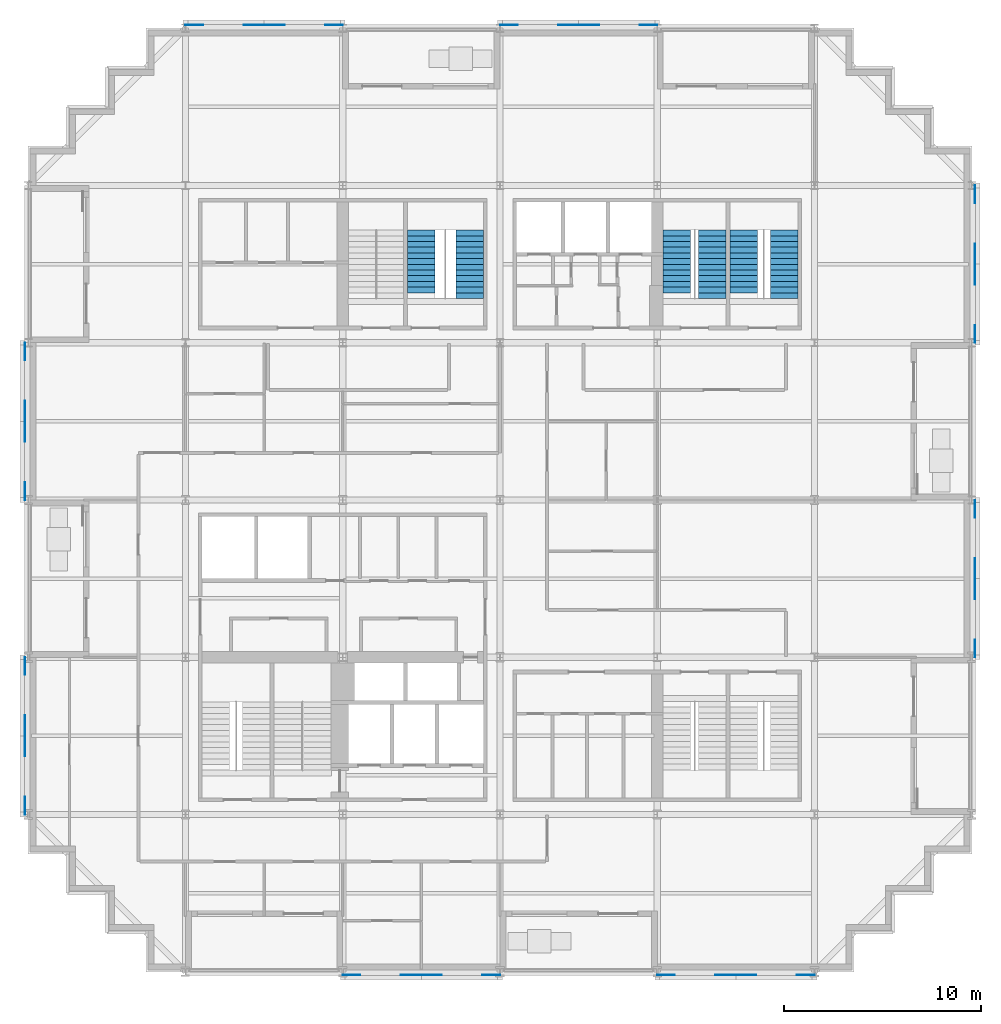
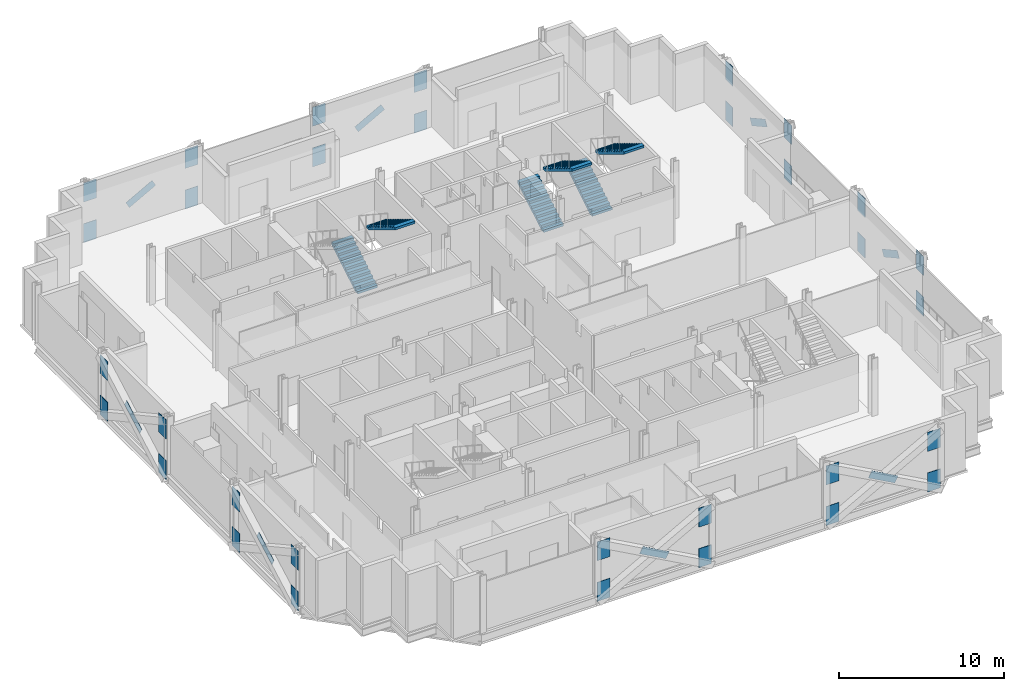
# One storey, part 11 of 14: 40 discrete accessories, 6 stair flights, 3 elements without a shape of their own.
"""IFC4 building model written with IfcOpenShell, lengths in metres."""

from ifc_helpers import new_model, si_unit, direction, frame, origin, origin_2d, place, context, subcontext, project, spatial, polyline, rectangle, outline, extrude, material, material_profile, profile_set, type_object, element, aggregate, save


model = new_model("IFC4")

# Units and contexts
model_context = context("Model", 3, precision=1e-05, world=origin(), true_north=direction((0.0, 1.0)))
body_context = subcontext(model_context, "Body", "Model", "MODEL_VIEW")
ifc_project = project(units=[si_unit("LENGTHUNIT", "METRE"), si_unit("AREAUNIT", "SQUARE_METRE"), si_unit("VOLUMEUNIT", "CUBIC_METRE"), si_unit("PLANEANGLEUNIT", "RADIAN"), si_unit("MASSUNIT", "GRAM", prefix="KILO")], contexts=[model_context])

# Site, building, storey
site_placement = place(None, origin())
site = spatial("IfcSite", under=ifc_project, at=site_placement, CompositionType="ELEMENT")
building_placement = place(site_placement, origin())
building = spatial("IfcBuilding", under=site, at=building_placement, Name="Immortelle Media Tower", CompositionType="ELEMENT")
storey_placement = place(building_placement, frame((0.0, 0.0, 39.199951171875)))
storey = spatial("IfcBuildingStorey", under=building, at=storey_placement, Name="L05", CompositionType="ELEMENT", Elevation=39.199951171875)

# Stair, stair flights
ifc_material_1 = material(Name="Steel ASTM A992 Gr 50", Category="steel")
stair_type = type_object("IfcStairType", Name="Stair with flights", PredefinedType="DOUBLE_RETURN_STAIR", material=ifc_material_1)
stair_1_placement = place(storey_placement, origin())
stair_1 = element("IfcStair", 1, at=stair_1_placement, inside=storey, type_object=stair_type, Name="Exit stair NW2", PredefinedType="DOUBLE_RETURN_STAIR")
stair_flight_type = type_object("IfcStairFlightType", Name="Stair flight 1400", PredefinedType="STRAIGHT", material=ifc_material_1)
stair_flight_1_placement = place(storey_placement, frame((20.0, 34.5400390625, 0.0), z_axis=(0.0, 0.0, 1.0), x_axis=(0.0, 1.0, 0.0)))
stair_flight_1 = element("IfcStairFlight", 2, at=stair_flight_1_placement, type_object=stair_flight_type, Name="ST NW2 flight 1", NumberOfRisers=12, NumberOfTreads=11, PredefinedType="STRAIGHT", RiserHeight=0.176, TreadLength=0.29, context=body_context, shape_type="SweptSolid", body=[
    extrude(outline(polyline([(0.0, 0.0), (0.0, 0.176025390625), (0.2900390625, 0.176025390625), (0.2900390625, 0.35205078125), (0.580078125, 0.35205078125), (0.580078125, 0.528076171875), (0.8701171875, 0.528076171875), (0.8701171875, 0.7041015625), (1.159912109375, 0.7041015625), (1.159912109375, 0.8798828125), (1.449951171875, 0.8798828125), (1.449951171875, 1.055908203125), (1.739990234375, 1.055908203125), (1.739990234375, 1.23193359375), (2.030029296875, 1.23193359375), (2.030029296875, 1.407958984375), (2.320068359375, 1.407958984375), (2.320068359375, 1.583984375), (2.610107421875, 1.583984375), (2.610107421875, 1.760009765625), (2.89990234375, 1.760009765625), (2.89990234375, 1.93603515625), (3.18994140625, 1.93603515625), (3.18994140625, 2.112060546875), (3.18994140625, 1.7607421875), (0.288818359375, 0.0), (0.0, 0.0)])), frame((0.0, 0.699951171875, 0.0), z_axis=(0.0, -1.0, 0.0), x_axis=(1.0, 0.0, 0.0)), (0.0, 0.0, 1.0), 1.39990234375),
])
stair_flight_2_placement = place(storey_placement, frame((22.449951171875, 37.72998046875, 2.112060546875), z_axis=(0.0, 0.0, 1.0), x_axis=(0.0, -1.0, 0.0)))
stair_flight_2 = element("IfcStairFlight", 3, at=stair_flight_2_placement, type_object=stair_flight_type, Name="ST NW2 flight 2", NumberOfRisers=13, NumberOfTreads=12, PredefinedType="STRAIGHT", RiserHeight=0.176, TreadLength=0.29, context=body_context, shape_type="SweptSolid", body=[
    extrude(outline(polyline([(0.0, 0.0), (0.0, 0.176025390625), (0.2900390625, 0.176025390625), (0.2900390625, 0.35205078125), (0.580078125, 0.35205078125), (0.580078125, 0.528076171875), (0.8701171875, 0.528076171875), (0.8701171875, 0.7041015625), (1.159912109375, 0.7041015625), (1.159912109375, 0.8798828125), (1.449951171875, 0.8798828125), (1.449951171875, 1.055908203125), (1.739990234375, 1.055908203125), (1.739990234375, 1.23193359375), (2.030029296875, 1.23193359375), (2.030029296875, 1.407958984375), (2.320068359375, 1.407958984375), (2.320068359375, 1.583984375), (2.610107421875, 1.583984375), (2.610107421875, 1.760009765625), (2.89990234375, 1.760009765625), (2.89990234375, 1.93603515625), (3.18994140625, 1.93603515625), (3.18994140625, 2.112060546875), (3.47998046875, 2.112060546875), (3.47998046875, 2.2880859375), (3.47998046875, 1.936767578125), (0.288818359375, 0.0), (0.0, 0.0)])), frame((0.0, 0.699951171875, 0.0), z_axis=(0.0, -1.0, 0.0), x_axis=(1.0, 0.0, 0.0)), (0.0, 0.0, 1.0), 1.39990234375),
])
aggregate(stair_1, [stair_flight_1, stair_flight_2])

stair_2_placement = place(storey_placement, origin())
stair_2 = element("IfcStair", 4, at=stair_2_placement, inside=storey, type_object=stair_type, Name="Exit stair NE1", PredefinedType="DOUBLE_RETURN_STAIR")
stair_flight_3_placement = place(storey_placement, frame((33.0, 34.5400390625, 0.0), z_axis=(0.0, 0.0, 1.0), x_axis=(0.0, 1.0, 0.0)))
stair_flight_3 = element("IfcStairFlight", 5, at=stair_flight_3_placement, type_object=stair_flight_type, Name="ST NE1 flight 1", NumberOfRisers=12, NumberOfTreads=11, PredefinedType="STRAIGHT", RiserHeight=0.176, TreadLength=0.29, context=body_context, shape_type="SweptSolid", body=[
    extrude(outline(polyline([(0.0, 0.0), (0.0, 0.176025390625), (0.2900390625, 0.176025390625), (0.2900390625, 0.35205078125), (0.580078125, 0.35205078125), (0.580078125, 0.528076171875), (0.8701171875, 0.528076171875), (0.8701171875, 0.7041015625), (1.159912109375, 0.7041015625), (1.159912109375, 0.8798828125), (1.449951171875, 0.8798828125), (1.449951171875, 1.055908203125), (1.739990234375, 1.055908203125), (1.739990234375, 1.23193359375), (2.030029296875, 1.23193359375), (2.030029296875, 1.407958984375), (2.320068359375, 1.407958984375), (2.320068359375, 1.583984375), (2.610107421875, 1.583984375), (2.610107421875, 1.760009765625), (2.89990234375, 1.760009765625), (2.89990234375, 1.93603515625), (3.18994140625, 1.93603515625), (3.18994140625, 2.112060546875), (3.18994140625, 1.7607421875), (0.288818359375, 0.0), (0.0, 0.0)])), frame((0.0, 0.699951171875, 0.0), z_axis=(0.0, -1.0, 0.0), x_axis=(1.0, 0.0, 0.0)), (0.0, 0.0, 1.0), 1.39990234375),
])
stair_flight_4_placement = place(storey_placement, frame((34.800048828125, 37.72998046875, 2.112060546875), z_axis=(0.0, 0.0, 1.0), x_axis=(0.0, -1.0, 0.0)))
stair_flight_4 = element("IfcStairFlight", 6, at=stair_flight_4_placement, type_object=stair_flight_type, Name="ST NE1 flight 2", NumberOfRisers=13, NumberOfTreads=12, PredefinedType="STRAIGHT", RiserHeight=0.176, TreadLength=0.29, context=body_context, shape_type="SweptSolid", body=[
    extrude(outline(polyline([(0.0, 0.0), (0.0, 0.176025390625), (0.2900390625, 0.176025390625), (0.2900390625, 0.35205078125), (0.580078125, 0.35205078125), (0.580078125, 0.528076171875), (0.8701171875, 0.528076171875), (0.8701171875, 0.7041015625), (1.159912109375, 0.7041015625), (1.159912109375, 0.8798828125), (1.449951171875, 0.8798828125), (1.449951171875, 1.055908203125), (1.739990234375, 1.055908203125), (1.739990234375, 1.23193359375), (2.030029296875, 1.23193359375), (2.030029296875, 1.407958984375), (2.320068359375, 1.407958984375), (2.320068359375, 1.583984375), (2.610107421875, 1.583984375), (2.610107421875, 1.760009765625), (2.89990234375, 1.760009765625), (2.89990234375, 1.93603515625), (3.18994140625, 1.93603515625), (3.18994140625, 2.112060546875), (3.47998046875, 2.112060546875), (3.47998046875, 2.2880859375), (3.47998046875, 1.936767578125), (0.288818359375, 0.0), (0.0, 0.0)])), frame((0.0, 0.699951171875, 0.0), z_axis=(0.0, -1.0, 0.0), x_axis=(1.0, 0.0, 0.0)), (0.0, 0.0, 1.0), 1.39990234375),
])
aggregate(stair_2, [stair_flight_3, stair_flight_4])

stair_3_placement = place(storey_placement, origin())
stair_3 = element("IfcStair", 7, at=stair_3_placement, inside=storey, type_object=stair_type, Name="Exit stair NE2", PredefinedType="DOUBLE_RETURN_STAIR")
stair_flight_5_placement = place(storey_placement, frame((36.39990234375, 34.5400390625, 0.0), z_axis=(0.0, 0.0, 1.0), x_axis=(0.0, 1.0, 0.0)))
stair_flight_5 = element("IfcStairFlight", 8, at=stair_flight_5_placement, type_object=stair_flight_type, Name="ST NE2 flight 1", NumberOfRisers=12, NumberOfTreads=11, PredefinedType="STRAIGHT", RiserHeight=0.176, TreadLength=0.29, context=body_context, shape_type="SweptSolid", body=[
    extrude(outline(polyline([(0.0, 0.0), (0.0, 0.176025390625), (0.2900390625, 0.176025390625), (0.2900390625, 0.35205078125), (0.580078125, 0.35205078125), (0.580078125, 0.528076171875), (0.8701171875, 0.528076171875), (0.8701171875, 0.7041015625), (1.159912109375, 0.7041015625), (1.159912109375, 0.8798828125), (1.449951171875, 0.8798828125), (1.449951171875, 1.055908203125), (1.739990234375, 1.055908203125), (1.739990234375, 1.23193359375), (2.030029296875, 1.23193359375), (2.030029296875, 1.407958984375), (2.320068359375, 1.407958984375), (2.320068359375, 1.583984375), (2.610107421875, 1.583984375), (2.610107421875, 1.760009765625), (2.89990234375, 1.760009765625), (2.89990234375, 1.93603515625), (3.18994140625, 1.93603515625), (3.18994140625, 2.112060546875), (3.18994140625, 1.7607421875), (0.288818359375, 0.0), (0.0, 0.0)])), frame((0.0, 0.699951171875, 0.0), z_axis=(0.0, -1.0, 0.0), x_axis=(1.0, 0.0, 0.0)), (0.0, 0.0, 1.0), 1.39990234375),
])
stair_flight_6_placement = place(storey_placement, frame((38.449951171875, 37.72998046875, 2.112060546875), z_axis=(0.0, 0.0, 1.0), x_axis=(0.0, -1.0, 0.0)))
stair_flight_6 = element("IfcStairFlight", 9, at=stair_flight_6_placement, type_object=stair_flight_type, Name="ST NE2 flight 2", NumberOfRisers=13, NumberOfTreads=12, PredefinedType="STRAIGHT", RiserHeight=0.176, TreadLength=0.29, context=body_context, shape_type="SweptSolid", body=[
    extrude(outline(polyline([(0.0, 0.0), (0.0, 0.176025390625), (0.2900390625, 0.176025390625), (0.2900390625, 0.35205078125), (0.580078125, 0.35205078125), (0.580078125, 0.528076171875), (0.8701171875, 0.528076171875), (0.8701171875, 0.7041015625), (1.159912109375, 0.7041015625), (1.159912109375, 0.8798828125), (1.449951171875, 0.8798828125), (1.449951171875, 1.055908203125), (1.739990234375, 1.055908203125), (1.739990234375, 1.23193359375), (2.030029296875, 1.23193359375), (2.030029296875, 1.407958984375), (2.320068359375, 1.407958984375), (2.320068359375, 1.583984375), (2.610107421875, 1.583984375), (2.610107421875, 1.760009765625), (2.89990234375, 1.760009765625), (2.89990234375, 1.93603515625), (3.18994140625, 1.93603515625), (3.18994140625, 2.112060546875), (3.47998046875, 2.112060546875), (3.47998046875, 2.2880859375), (3.47998046875, 1.936767578125), (0.288818359375, 0.0), (0.0, 0.0)])), frame((0.0, 0.699951171875, 0.0), z_axis=(0.0, -1.0, 0.0), x_axis=(1.0, 0.0, 0.0)), (0.0, 0.0, 1.0), 1.39990234375),
])
aggregate(stair_3, [stair_flight_5, stair_flight_6])

# Discrete accessories
ifc_material_2 = material(Name="Steel ASTM A572 Gr 50", Category="steel")
ifc_material_profile_1 = material_profile(ifc_material_2, rectangle(XDim=0.02392578125, YDim=0.508056640625, at=origin_2d()), Name="PL 24 x 508")
ifc_profile_set_1 = profile_set([ifc_material_profile_1], Name="Steel ASTM A572 Gr 50")
discrete_accessory_type_1 = type_object("IfcDiscreteAccessoryType", Name="Crossing plate XP-BR2 2100 x 508 x 24", PredefinedType="USERDEFINED", material=ifc_profile_set_1)
for number, where, z_axis, x_axis, name in (
    (10, (-0.1640625, 28.919921875, 2.2080078125), (0.0, -0.876206089199, -0.481936602937), (1.0, 0.0, 0.0), "Crossing plate XP-BR2 of Brace 1/D-E A and Brace 1/D-E B"),
    (11, (-0.1640625, 12.919921875, 2.2080078125), (0.0, -0.876206089199, -0.481936602937), (1.0, 0.0, 0.0), "Crossing plate XP-BR2 of Brace 1/B-C A and Brace 1/B-C B"),
    (12, (48.1640625, 19.080078125, 2.2080078125), (0.0, 0.876206089199, -0.481936602937), (-1.0, 0.0, 0.0), "Crossing plate XP-BR2 of Brace 7/C-D A and Brace 7/C-D B"),
    (13, (48.1640625, 35.080078125, 2.2080078125), (0.0, 0.876206089199, -0.481936602937), (-1.0, 0.0, 0.0), "Crossing plate XP-BR2 of Brace 7/E-F A and Brace 7/E-F B"),
    (14, (28.919921875, 48.1640625, 2.2080078125), (-0.876206089199, 0.0, -0.481936602937), (0.0, -1.0, 0.0), "Crossing plate XP-BR2 of Brace G/4-5 A and Brace G/4-5 B"),
    (15, (12.919921875, 48.1640625, 2.2080078125), (-0.876206089199, 0.0, -0.481936602937), (0.0, -1.0, 0.0), "Crossing plate XP-BR2 of Brace G/2-3 A and Brace G/2-3 B"),
    (16, (19.080078125, -0.1640625, 2.2080078125), (0.876206089199, 0.0, -0.481936602937), (0.0, 1.0, 0.0), "Crossing plate XP-BR2 of Brace A/3-4 A and Brace A/3-4 B"),
    (17, (35.080078125, -0.1640625, 2.2080078125), (0.876206089199, 0.0, -0.481936602937), (0.0, 1.0, 0.0), "Crossing plate XP-BR2 of Brace A/5-6 A and Brace A/5-6 B"),
):
    element("IfcDiscreteAccessory", number, at=place(storey_placement, frame(where, z_axis=z_axis, x_axis=x_axis)), inside=storey, type_object=discrete_accessory_type_1, Name=name, ObjectType="CROSSING PLATE", PredefinedType="USERDEFINED", context=body_context, shape_type="SweptSolid", body=[
        extrude(rectangle(XDim=0.02392578125, YDim=0.508056640625, at=origin_2d()), origin(), (0.0, 0.0, 1.0), 2.099853515625),
    ])
ifc_material_profile_2 = material_profile(ifc_material_2, rectangle(XDim=0.031982421875, YDim=1.39990234375, at=origin_2d()), Name="PL 32 x 1400")
ifc_profile_set_2 = profile_set([ifc_material_profile_2], Name="Steel ASTM A572 Gr 50")
discrete_accessory_type_2 = type_object("IfcDiscreteAccessoryType", Name="Gusset plate GP1 900 x 1400 x 32", PredefinedType="USERDEFINED", material=ifc_profile_set_2)
for number, where, z_axis, x_axis, name in (
    (18, (-0.1640625, 32.0, 0.2021484375), (0.0, -1.0, 0.0), (1.0, 0.0, 0.0), "Gusset plate GP1, lower end of Brace 1/D-E A"),
    (19, (-0.1640625, 24.0, 3.2021484375), (0.0, 1.0, 0.0), (-1.0, 0.0, 0.0), "Gusset plate GP1, upper end of Brace 1/D-E A"),
    (20, (-0.1640625, 24.0, 0.2021484375), (0.0, 1.0, 0.0), (-1.0, 0.0, 0.0), "Gusset plate GP1, lower end of Brace 1/D-E B"),
    (21, (-0.1640625, 32.0, 3.2021484375), (0.0, -1.0, 0.0), (1.0, 0.0, 0.0), "Gusset plate GP1, upper end of Brace 1/D-E B"),
    (22, (-0.1640625, 16.0, 0.2021484375), (0.0, -1.0, 0.0), (1.0, 0.0, 0.0), "Gusset plate GP1, lower end of Brace 1/B-C A"),
    (23, (-0.1640625, 8.0, 3.2021484375), (0.0, 1.0, 0.0), (-1.0, 0.0, 0.0), "Gusset plate GP1, upper end of Brace 1/B-C A"),
    (24, (-0.1640625, 8.0, 0.2021484375), (0.0, 1.0, 0.0), (-1.0, 0.0, 0.0), "Gusset plate GP1, lower end of Brace 1/B-C B"),
    (25, (-0.1640625, 16.0, 3.2021484375), (0.0, -1.0, 0.0), (1.0, 0.0, 0.0), "Gusset plate GP1, upper end of Brace 1/B-C B"),
    (26, (16.0, -0.1640625, 0.2021484375), (1.0, 0.0, 0.0), (0.0, 1.0, 0.0), "Gusset plate GP1, lower end of Brace A/3-4 A"),
    (27, (24.0, -0.1640625, 3.2021484375), (-1.0, 0.0, 0.0), (0.0, -1.0, 0.0), "Gusset plate GP1, upper end of Brace A/3-4 A"),
    (28, (24.0, -0.1640625, 0.2021484375), (-1.0, 0.0, 0.0), (0.0, -1.0, 0.0), "Gusset plate GP1, lower end of Brace A/3-4 B"),
    (29, (16.0, -0.1640625, 3.2021484375), (1.0, 0.0, 0.0), (0.0, 1.0, 0.0), "Gusset plate GP1, upper end of Brace A/3-4 B"),
    (30, (32.0, -0.1640625, 0.2021484375), (1.0, 0.0, 0.0), (0.0, 1.0, 0.0), "Gusset plate GP1, lower end of Brace A/5-6 A"),
    (31, (40.0, -0.1640625, 3.2021484375), (-1.0, 0.0, 0.0), (0.0, -1.0, 0.0), "Gusset plate GP1, upper end of Brace A/5-6 A"),
    (32, (40.0, -0.1640625, 0.2021484375), (-1.0, 0.0, 0.0), (0.0, -1.0, 0.0), "Gusset plate GP1, lower end of Brace A/5-6 B"),
    (33, (32.0, -0.1640625, 3.2021484375), (1.0, 0.0, 0.0), (0.0, 1.0, 0.0), "Gusset plate GP1, upper end of Brace A/5-6 B"),
    (34, (48.1640625, 16.0, 0.2021484375), (0.0, 1.0, 0.0), (-1.0, 0.0, 0.0), "Gusset plate GP1, lower end of Brace 7/C-D A"),
    (35, (48.1640625, 24.0, 3.2021484375), (0.0, -1.0, 0.0), (1.0, 0.0, 0.0), "Gusset plate GP1, upper end of Brace 7/C-D A"),
    (36, (48.1640625, 24.0, 0.2021484375), (0.0, -1.0, 0.0), (1.0, 0.0, 0.0), "Gusset plate GP1, lower end of Brace 7/C-D B"),
    (37, (48.1640625, 16.0, 3.2021484375), (0.0, 1.0, 0.0), (-1.0, 0.0, 0.0), "Gusset plate GP1, upper end of Brace 7/C-D B"),
    (38, (48.1640625, 32.0, 0.2021484375), (0.0, 1.0, 0.0), (-1.0, 0.0, 0.0), "Gusset plate GP1, lower end of Brace 7/E-F A"),
    (39, (48.1640625, 40.0, 3.2021484375), (0.0, -1.0, 0.0), (1.0, 0.0, 0.0), "Gusset plate GP1, upper end of Brace 7/E-F A"),
    (40, (48.1640625, 40.0, 0.2021484375), (0.0, -1.0, 0.0), (1.0, 0.0, 0.0), "Gusset plate GP1, lower end of Brace 7/E-F B"),
    (41, (48.1640625, 32.0, 3.2021484375), (0.0, 1.0, 0.0), (-1.0, 0.0, 0.0), "Gusset plate GP1, upper end of Brace 7/E-F B"),
    (42, (32.0, 48.1640625, 0.2021484375), (-1.0, 0.0, 0.0), (0.0, -1.0, 0.0), "Gusset plate GP1, lower end of Brace G/4-5 A"),
    (43, (24.0, 48.1640625, 3.2021484375), (1.0, 0.0, 0.0), (0.0, 1.0, 0.0), "Gusset plate GP1, upper end of Brace G/4-5 A"),
    (44, (24.0, 48.1640625, 0.2021484375), (1.0, 0.0, 0.0), (0.0, 1.0, 0.0), "Gusset plate GP1, lower end of Brace G/4-5 B"),
    (45, (32.0, 48.1640625, 3.2021484375), (-1.0, 0.0, 0.0), (0.0, -1.0, 0.0), "Gusset plate GP1, upper end of Brace G/4-5 B"),
    (46, (16.0, 48.1640625, 0.2021484375), (-1.0, 0.0, 0.0), (0.0, -1.0, 0.0), "Gusset plate GP1, lower end of Brace G/2-3 A"),
    (47, (8.0, 48.1640625, 3.2021484375), (1.0, 0.0, 0.0), (0.0, 1.0, 0.0), "Gusset plate GP1, upper end of Brace G/2-3 A"),
    (48, (8.0, 48.1640625, 0.2021484375), (1.0, 0.0, 0.0), (0.0, 1.0, 0.0), "Gusset plate GP1, lower end of Brace G/2-3 B"),
    (49, (16.0, 48.1640625, 3.2021484375), (-1.0, 0.0, 0.0), (0.0, -1.0, 0.0), "Gusset plate GP1, upper end of Brace G/2-3 B"),
):
    element("IfcDiscreteAccessory", number, at=place(storey_placement, frame(where, z_axis=z_axis, x_axis=x_axis)), inside=storey, type_object=discrete_accessory_type_2, Name=name, ObjectType="GUSSET PLATE", PredefinedType="USERDEFINED", context=body_context, shape_type="SweptSolid", body=[
        extrude(rectangle(XDim=0.031982421875, YDim=1.39990234375, at=origin_2d()), origin(), (0.0, 0.0, 1.0), 0.89990234375),
    ])

save(model, "model.ifc")
